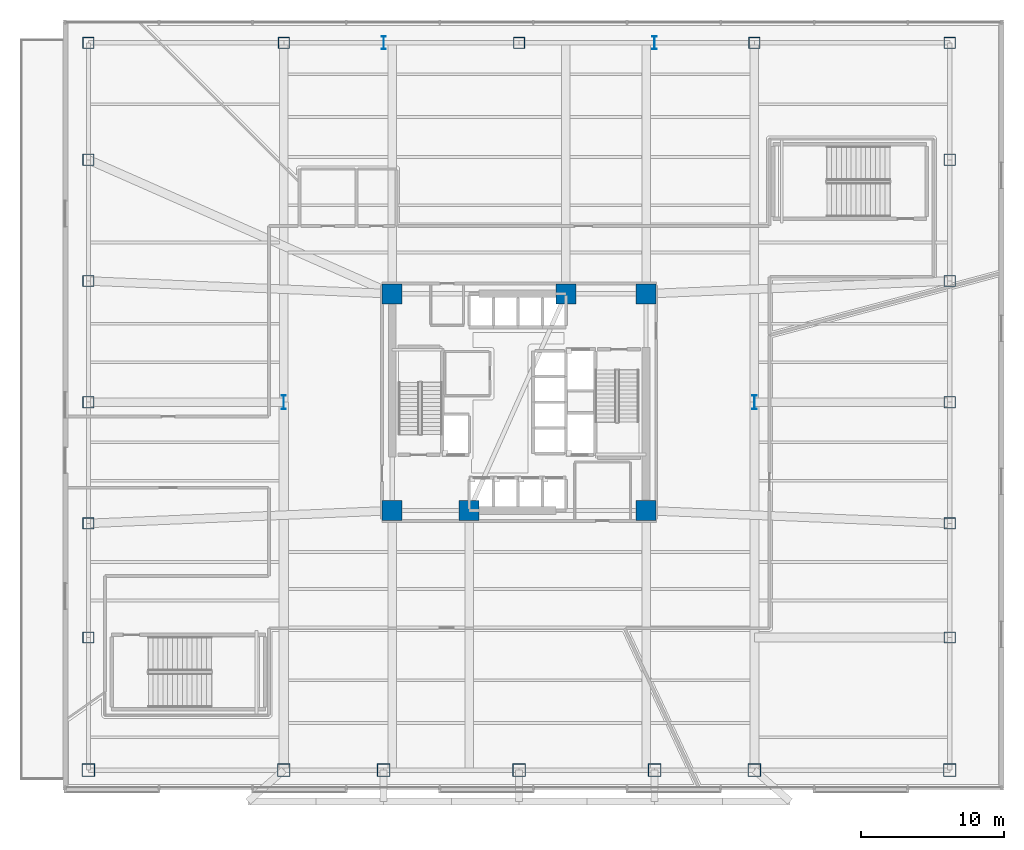
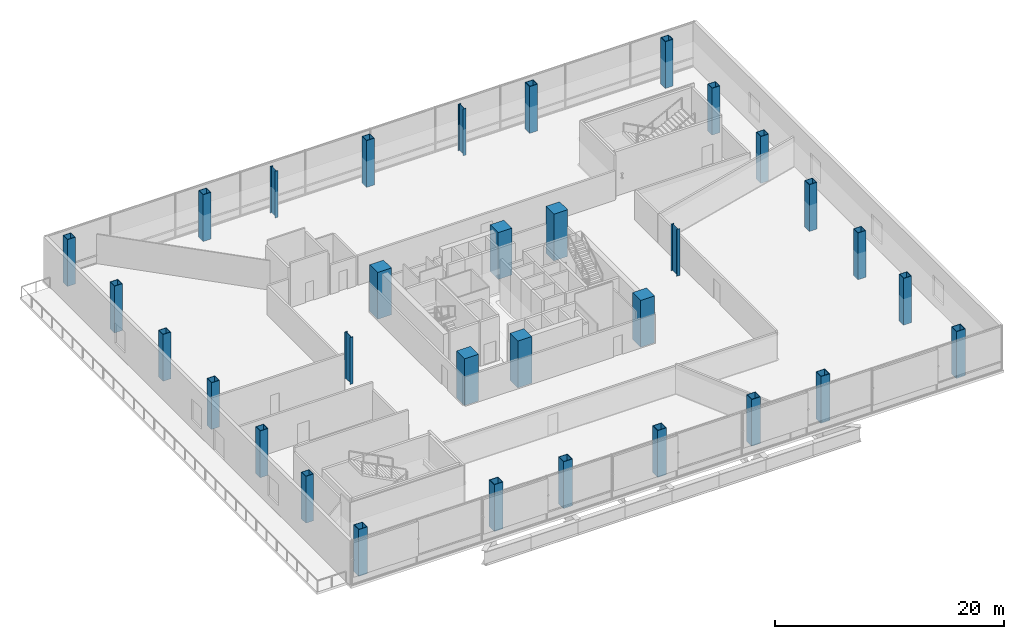
# One storey, part 1 of 20: 32 columns.
"""IFC4 building model written with IfcOpenShell, lengths in metres."""

from ifc_helpers import new_model, si_unit, direction, frame, origin, origin_2d, place, context, subcontext, project, spatial, rectangle, hollow_rectangle, i_section, extrude, material, material_profile, profile_set, type_object, element, save


model = new_model("IFC4")

# Units and contexts
model_context = context("Model", 3, precision=1e-05, world=origin(), true_north=direction((0.0, 1.0)))
body_context = subcontext(model_context, "Body", "Model", "MODEL_VIEW")
ifc_project = project(units=[si_unit("LENGTHUNIT", "METRE"), si_unit("AREAUNIT", "SQUARE_METRE"), si_unit("VOLUMEUNIT", "CUBIC_METRE"), si_unit("PLANEANGLEUNIT", "RADIAN"), si_unit("MASSUNIT", "GRAM", prefix="KILO")], contexts=[model_context])

# Site, building, storey
site_placement = place(None, origin())
site = spatial("IfcSite", under=ifc_project, at=site_placement, CompositionType="ELEMENT")
building_placement = place(site_placement, origin())
building = spatial("IfcBuilding", under=site, at=building_placement, Name="Tharavind Bronze Gate", CompositionType="ELEMENT")
storey_placement = place(building_placement, frame((0.0, 0.0, 16.5)))
storey = spatial("IfcBuildingStorey", under=building, at=storey_placement, Name="L03", CompositionType="ELEMENT", Elevation=16.5)

# Columns
ifc_material_1 = material(Name="Concrete C70/85", Category="concrete")
ifc_material_profile_1 = material_profile(ifc_material_1, rectangle(XDim=1.39990234375, YDim=1.39990234375, at=origin_2d()), Name="RCCOL1400")
ifc_profile_set_1 = profile_set([ifc_material_profile_1], Name="Concrete C70/85")
column_type_1 = type_object("IfcColumnType", Name="MEGA CORE COLUMN 1400", PredefinedType="COLUMN", material=ifc_profile_set_1)
for number, where, z_axis, x_axis, name in (
    (1, (-8.89990234375, -7.60009765625, 0.0), (0.0, 0.0, 1.0), (1.0, 0.0, 0.0), "L03 core mega column MC1"),
    (2, (-3.5, -7.60009765625, 0.0), (0.0, 0.0, 1.0), (1.0, 0.0, 0.0), "L03 core mega column MC2"),
    (3, (8.89990234375, -7.60009765625, 0.0), (0.0, 0.0, 1.0), (1.0, 0.0, 0.0), "L03 core mega column MC3"),
    (4, (8.89990234375, 7.60009765625, 0.0), (0.0, 0.0, 1.0), (1.0, 0.0, 0.0), "L03 core mega column MC4"),
    (5, (3.280029296875, 7.60009765625, 0.0), (0.0, 0.0, 1.0), (1.0, 0.0, 0.0), "L03 core mega column MC5"),
    (6, (-8.89990234375, 7.60009765625, 0.0), (0.0, 0.0, 1.0), (1.0, 0.0, 0.0), "L03 core mega column MC6"),
):
    element("IfcColumn", number, at=place(storey_placement, frame(where, z_axis=z_axis, x_axis=x_axis)), inside=storey, type_object=column_type_1, Name=name, PredefinedType="COLUMN", context=body_context, shape_type="SweptSolid", body=[
        extrude(rectangle(XDim=1.39990234375, YDim=1.39990234375, at=origin_2d()), origin(), (0.0, 0.0, 1.0), 5.0),
    ])
ifc_material_2 = material(Name="Steel S460", Category="steel")
ifc_material_profile_2 = material_profile(ifc_material_2, hollow_rectangle(XDim=0.800048828125, YDim=0.800048828125, WallThickness=0.044921875, at=origin_2d()), Name="SHS800X45")
ifc_profile_set_2 = profile_set([ifc_material_profile_2], Name="Steel S460")
column_type_2 = type_object("IfcColumnType", Name="PERIMETER BOX COLUMN SHS800", PredefinedType="COLUMN", material=ifc_profile_set_2)
for number, where, z_axis, x_axis, name in (
    (7, (-30.199951171875, 25.199951171875, 0.0), (0.0, 0.0, 1.0), (1.0, 0.0, 0.0), "L03 podium column PN10"),
    (8, (-16.5, 25.199951171875, 0.0), (0.0, 0.0, 1.0), (1.0, 0.0, 0.0), "L03 podium column PN24"),
    (9, (0.0, 25.199951171875, 0.0), (0.0, 0.0, 1.0), (1.0, 0.0, 0.0), "L03 podium column PN40"),
    (10, (16.5, 25.199951171875, 0.0), (0.0, 0.0, 1.0), (1.0, 0.0, 0.0), "L03 podium column PN56"),
    (11, (30.199951171875, 25.199951171875, 0.0), (0.0, 0.0, 1.0), (1.0, 0.0, 0.0), "L03 podium column PN70"),
    (12, (-30.199951171875, -16.5, 0.0), (0.0, 0.0, 1.0), (1.0, 0.0, 0.0), "L03 podium column PW14"),
    (13, (30.199951171875, -16.5, 0.0), (0.0, 0.0, 1.0), (1.0, 0.0, 0.0), "L03 podium column PE14"),
    (14, (-30.199951171875, -8.5, 0.0), (0.0, 0.0, 1.0), (1.0, 0.0, 0.0), "L03 podium column PW22"),
    (15, (30.199951171875, -8.5, 0.0), (0.0, 0.0, 1.0), (1.0, 0.0, 0.0), "L03 podium column PE22"),
    (16, (-30.199951171875, 0.0, 0.0), (0.0, 0.0, 1.0), (1.0, 0.0, 0.0), "L03 podium column PW30"),
    (17, (30.199951171875, 0.0, 0.0), (0.0, 0.0, 1.0), (1.0, 0.0, 0.0), "L03 podium column PE30"),
    (18, (-30.199951171875, 8.5, 0.0), (0.0, 0.0, 1.0), (1.0, 0.0, 0.0), "L03 podium column PW38"),
    (19, (30.199951171875, 8.5, 0.0), (0.0, 0.0, 1.0), (1.0, 0.0, 0.0), "L03 podium column PE38"),
    (20, (-30.199951171875, 17.0, 0.0), (0.0, 0.0, 1.0), (1.0, 0.0, 0.0), "L03 podium column PW47"),
    (21, (30.199951171875, 17.0, 0.0), (0.0, 0.0, 1.0), (1.0, 0.0, 0.0), "L03 podium column PE47"),
):
    element("IfcColumn", number, at=place(storey_placement, frame(where, z_axis=z_axis, x_axis=x_axis)), inside=storey, type_object=column_type_2, Name=name, PredefinedType="COLUMN", context=body_context, shape_type="SweptSolid", body=[
        extrude(hollow_rectangle(XDim=0.800048828125, YDim=0.800048828125, WallThickness=0.044921875, at=origin_2d()), origin(), (0.0, 0.0, 1.0), 5.0),
    ])
ifc_material_profile_3 = material_profile(ifc_material_2, hollow_rectangle(XDim=0.89990234375, YDim=0.89990234375, WallThickness=0.050048828125, at=origin_2d()), Name="SHS900X50")
ifc_profile_set_3 = profile_set([ifc_material_profile_3], Name="Steel S460")
column_type_3 = type_object("IfcColumnType", Name="PERIMETER BOX COLUMN SHS900", PredefinedType="COLUMN", material=ifc_profile_set_3)
for number, where, z_axis, x_axis, name in (
    (22, (-30.199951171875, -25.800048828125, 0.0), (0.0, 0.0, 1.0), (1.0, 0.0, 0.0), "L03 podium column PS10"),
    (23, (-16.5, -25.800048828125, 0.0), (0.0, 0.0, 1.0), (1.0, 0.0, 0.0), "L03 podium column PS24"),
    (24, (-9.5, -25.800048828125, 0.0), (0.0, 0.0, 1.0), (1.0, 0.0, 0.0), "L03 podium column PS30"),
    (25, (0.0, -25.800048828125, 0.0), (0.0, 0.0, 1.0), (1.0, 0.0, 0.0), "L03 podium column PS40"),
    (26, (9.5, -25.800048828125, 0.0), (0.0, 0.0, 1.0), (1.0, 0.0, 0.0), "L03 podium column PS50"),
    (27, (16.5, -25.800048828125, 0.0), (0.0, 0.0, 1.0), (1.0, 0.0, 0.0), "L03 podium column PS56"),
    (28, (30.199951171875, -25.800048828125, 0.0), (0.0, 0.0, 1.0), (1.0, 0.0, 0.0), "L03 podium column PS70"),
):
    element("IfcColumn", number, at=place(storey_placement, frame(where, z_axis=z_axis, x_axis=x_axis)), inside=storey, type_object=column_type_3, Name=name, PredefinedType="COLUMN", context=body_context, shape_type="SweptSolid", body=[
        extrude(hollow_rectangle(XDim=0.89990234375, YDim=0.89990234375, WallThickness=0.050048828125, at=origin_2d()), origin(), (0.0, 0.0, 1.0), 5.0),
    ])
ifc_material_profile_4 = material_profile(ifc_material_2, i_section(OverallWidth=0.302001953125, OverallDepth=1.008056640625, WebThickness=0.02099609375, FlangeThickness=0.0400390625, at=origin_2d()), Name="HE1000M")
ifc_profile_set_4 = profile_set([ifc_material_profile_4], Name="Steel S460")
column_type_4 = type_object("IfcColumnType", Name="PODIUM HALL COLUMN HE1000M", PredefinedType="COLUMN", material=ifc_profile_set_4)
for number, where, z_axis, x_axis, name in (
    (29, (-16.5, 0.0, 0.0), (0.0, 0.0, 1.0), (1.0, 0.0, 0.0), "L03 podium column PMW0"),
    (30, (16.5, 0.0, 0.0), (0.0, 0.0, 1.0), (1.0, 0.0, 0.0), "L03 podium column PME0"),
):
    element("IfcColumn", number, at=place(storey_placement, frame(where, z_axis=z_axis, x_axis=x_axis)), inside=storey, type_object=column_type_4, Name=name, PredefinedType="COLUMN", context=body_context, shape_type="SweptSolid", body=[
        extrude(i_section(OverallWidth=0.302001953125, OverallDepth=1.008056640625, WebThickness=0.02099609375, FlangeThickness=0.0400390625, at=origin_2d()), origin(), (0.0, 0.0, 1.0), 5.0),
    ])
ifc_material_profile_5 = material_profile(ifc_material_2, i_section(OverallWidth=0.300048828125, OverallDepth=0.89990234375, WebThickness=0.0185546875, FlangeThickness=0.034912109375, at=origin_2d()), Name="HE900B")
ifc_profile_set_5 = profile_set([ifc_material_profile_5], Name="Steel S460")
column_type_5 = type_object("IfcColumnType", Name="PODIUM HALL COLUMN HE900B", PredefinedType="COLUMN", material=ifc_profile_set_5)
for number, where, z_axis, x_axis, name in (
    (31, (-9.5, 25.199951171875, 0.0), (0.0, 0.0, 1.0), (1.0, 0.0, 0.0), "L03 podium column PN30"),
    (32, (9.5, 25.199951171875, 0.0), (0.0, 0.0, 1.0), (1.0, 0.0, 0.0), "L03 podium column PN50"),
):
    element("IfcColumn", number, at=place(storey_placement, frame(where, z_axis=z_axis, x_axis=x_axis)), inside=storey, type_object=column_type_5, Name=name, PredefinedType="COLUMN", context=body_context, shape_type="SweptSolid", body=[
        extrude(i_section(OverallWidth=0.300048828125, OverallDepth=0.89990234375, WebThickness=0.0185546875, FlangeThickness=0.034912109375, at=origin_2d()), origin(), (0.0, 0.0, 1.0), 5.0),
    ])

save(model, "model.ifc")
